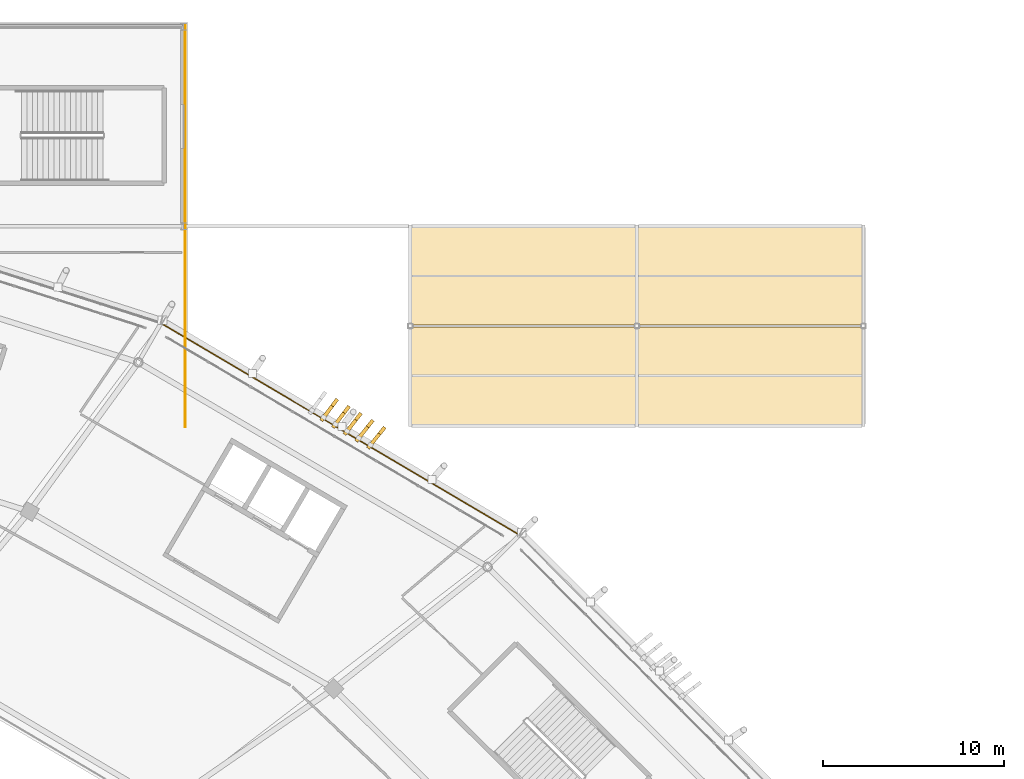
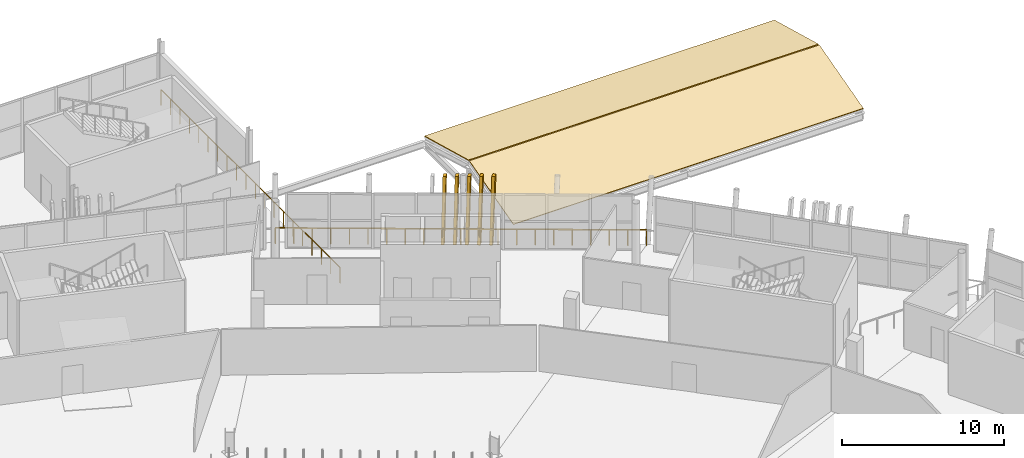
# One storey, part 179 of 179: 5 shading devices, 2 coverings, 2 railings, 1 element without a shape of its own.
"""IFC4 building model written with IfcOpenShell, lengths in metres."""

from ifc_helpers import new_model, si_unit, direction, frame, origin, origin_2d, place, context, subcontext, project, spatial, polyline, rectangle, outline, extrude, material, layer, layer_set, material_profile, profile_set, type_object, element, aggregate, save


model = new_model("IFC4")

# Units and contexts
model_context = context("Model", 3, precision=1e-05, world=origin(), true_north=direction((0.0, 1.0)))
body_context = subcontext(model_context, "Body", "Model", "MODEL_VIEW")
ifc_project = project(units=[si_unit("LENGTHUNIT", "METRE"), si_unit("AREAUNIT", "SQUARE_METRE"), si_unit("VOLUMEUNIT", "CUBIC_METRE"), si_unit("PLANEANGLEUNIT", "RADIAN"), si_unit("MASSUNIT", "GRAM", prefix="KILO")], contexts=[model_context])

# Site, building, storey
site_placement = place(None, origin())
site = spatial("IfcSite", under=ifc_project, at=site_placement, CompositionType="ELEMENT")
building_placement = place(site_placement, origin())
building = spatial("IfcBuilding", under=site, at=building_placement, Name="Zlatoyarsky Gate Stadium", CompositionType="ELEMENT")
storey_placement = place(building_placement, frame((0.0, 0.0, 10.60009765625)))
storey = spatial("IfcBuildingStorey", under=building, at=storey_placement, Name="L02", CompositionType="ELEMENT", Elevation=10.60009765625)

# Railings
ifc_material_1 = material(Name="Powder-coated steel tubular guardrail", Category="steel")
railing_type = type_object("IfcRailingType", Name="CONCOURSE SLAB EDGE GUARDRAIL 1200", PredefinedType="GUARDRAIL", material=ifc_material_1)
railing_1_placement = place(storey_placement, frame((178.52587890625, 131.969482421875, 0.0)))
element("IfcRailing", 1, at=railing_1_placement, inside=storey, type_object=railing_type, Name="L02 outer slab edge guardrail 03", PredefinedType="GUARDRAIL", context=body_context, shape_type="SweptSolid", body=[
    extrude(rectangle(XDim=0.048095703125, YDim=0.048095703125, at=origin_2d()), frame((0.0, 0.0, 1.17578125), z_axis=(-0.86105938639, 0.508504408151, 0.0), x_axis=(-0.508504408151, -0.86105938639, 0.0)), (0.0, 0.0, 1.0), 22.96923828125),
    extrude(rectangle(XDim=0.0419921875, YDim=0.0419921875, at=origin_2d()), origin(), (0.0, 0.0, 1.0), 1.15185546875),
    extrude(rectangle(XDim=0.0419921875, YDim=0.0419921875, at=origin_2d()), frame((-0.98876953125, 0.583984375, 0.0)), (0.0, 0.0, 1.0), 1.15185546875),
    extrude(rectangle(XDim=0.0419921875, YDim=0.0419921875, at=origin_2d()), frame((-1.977783203125, 1.16796875, 0.0)), (0.0, 0.0, 1.0), 1.15185546875),
    extrude(rectangle(XDim=0.0419921875, YDim=0.0419921875, at=origin_2d()), frame((-2.966796875, 1.751953125, 0.0)), (0.0, 0.0, 1.0), 1.15185546875),
    extrude(rectangle(XDim=0.0419921875, YDim=0.0419921875, at=origin_2d()), frame((-3.95556640625, 2.3359375, 0.0)), (0.0, 0.0, 1.0), 1.15185546875),
    extrude(rectangle(XDim=0.0419921875, YDim=0.0419921875, at=origin_2d()), frame((-4.9443359375, 2.919921875, 0.0)), (0.0, 0.0, 1.0), 1.15185546875),
    extrude(rectangle(XDim=0.0419921875, YDim=0.0419921875, at=origin_2d()), frame((-5.933349609375, 3.50390625, 0.0)), (0.0, 0.0, 1.0), 1.15185546875),
    extrude(rectangle(XDim=0.0419921875, YDim=0.0419921875, at=origin_2d()), frame((-6.92236328125, 4.087890625, 0.0)), (0.0, 0.0, 1.0), 1.15185546875),
    extrude(rectangle(XDim=0.0419921875, YDim=0.0419921875, at=origin_2d()), frame((-7.9111328125, 4.671875, 0.0)), (0.0, 0.0, 1.0), 1.15185546875),
    extrude(rectangle(XDim=0.0419921875, YDim=0.0419921875, at=origin_2d()), frame((-8.89990234375, 5.255859375, 0.0)), (0.0, 0.0, 1.0), 1.15185546875),
    extrude(rectangle(XDim=0.0419921875, YDim=0.0419921875, at=origin_2d()), frame((-9.888916015625, 5.83984375, 0.0)), (0.0, 0.0, 1.0), 1.15185546875),
    extrude(rectangle(XDim=0.0419921875, YDim=0.0419921875, at=origin_2d()), frame((-10.8779296875, 6.424072265625, 0.0)), (0.0, 0.0, 1.0), 1.15185546875),
    extrude(rectangle(XDim=0.0419921875, YDim=0.0419921875, at=origin_2d()), frame((-11.86669921875, 7.008056640625, 0.0)), (0.0, 0.0, 1.0), 1.15185546875),
    extrude(rectangle(XDim=0.0419921875, YDim=0.0419921875, at=origin_2d()), frame((-12.85546875, 7.592041015625, 0.0)), (0.0, 0.0, 1.0), 1.15185546875),
    extrude(rectangle(XDim=0.0419921875, YDim=0.0419921875, at=origin_2d()), frame((-13.844482421875, 8.176025390625, 0.0)), (0.0, 0.0, 1.0), 1.15185546875),
    extrude(rectangle(XDim=0.0419921875, YDim=0.0419921875, at=origin_2d()), frame((-14.83349609375, 8.760009765625, 0.0)), (0.0, 0.0, 1.0), 1.15185546875),
    extrude(rectangle(XDim=0.0419921875, YDim=0.0419921875, at=origin_2d()), frame((-15.822265625, 9.343994140625, 0.0)), (0.0, 0.0, 1.0), 1.15185546875),
    extrude(rectangle(XDim=0.0419921875, YDim=0.0419921875, at=origin_2d()), frame((-16.81103515625, 9.927978515625, 0.0)), (0.0, 0.0, 1.0), 1.15185546875),
    extrude(rectangle(XDim=0.0419921875, YDim=0.0419921875, at=origin_2d()), frame((-17.800048828125, 10.511962890625, 0.0)), (0.0, 0.0, 1.0), 1.15185546875),
    extrude(rectangle(XDim=0.0419921875, YDim=0.0419921875, at=origin_2d()), frame((-18.7890625, 11.095947265625, 0.0)), (0.0, 0.0, 1.0), 1.15185546875),
    extrude(rectangle(XDim=0.0419921875, YDim=0.0419921875, at=origin_2d()), frame((-19.77783203125, 11.679931640625, 0.0)), (0.0, 0.0, 1.0), 1.15185546875),
])
railing_2_placement = place(storey_placement, frame((160.080078125, 160.080078125, 0.0)))
element("IfcRailing", 2, at=railing_2_placement, inside=storey, type_object=railing_type, Name="V2_NORTH L02 E slab edge guardrail", PredefinedType="GUARDRAIL", context=body_context, shape_type="SweptSolid", body=[
    extrude(rectangle(XDim=0.048095703125, YDim=0.048095703125, at=origin_2d()), frame((0.0, 0.0, 1.17578125), z_axis=(0.0, -1.0, 0.0), x_axis=(1.0, 0.0, 0.0)), (0.0, 0.0, 1.0), 22.16015625),
    extrude(rectangle(XDim=0.0419921875, YDim=0.0419921875, at=origin_2d()), origin(), (0.0, 0.0, 1.0), 1.15185546875),
    extrude(rectangle(XDim=0.0419921875, YDim=0.0419921875, at=origin_2d()), frame((0.0, -1.166259765625, 0.0)), (0.0, 0.0, 1.0), 1.15185546875),
    extrude(rectangle(XDim=0.0419921875, YDim=0.0419921875, at=origin_2d()), frame((0.0, -2.332763671875, 0.0)), (0.0, 0.0, 1.0), 1.15185546875),
    extrude(rectangle(XDim=0.0419921875, YDim=0.0419921875, at=origin_2d()), frame((0.0, -3.4990234375, 0.0)), (0.0, 0.0, 1.0), 1.15185546875),
    extrude(rectangle(XDim=0.0419921875, YDim=0.0419921875, at=origin_2d()), frame((0.0, -4.665283203125, 0.0)), (0.0, 0.0, 1.0), 1.15185546875),
    extrude(rectangle(XDim=0.0419921875, YDim=0.0419921875, at=origin_2d()), frame((0.0, -5.83154296875, 0.0)), (0.0, 0.0, 1.0), 1.15185546875),
    extrude(rectangle(XDim=0.0419921875, YDim=0.0419921875, at=origin_2d()), frame((0.0, -6.998046875, 0.0)), (0.0, 0.0, 1.0), 1.15185546875),
    extrude(rectangle(XDim=0.0419921875, YDim=0.0419921875, at=origin_2d()), frame((0.0, -8.164306640625, 0.0)), (0.0, 0.0, 1.0), 1.15185546875),
    extrude(rectangle(XDim=0.0419921875, YDim=0.0419921875, at=origin_2d()), frame((0.0, -9.33056640625, 0.0)), (0.0, 0.0, 1.0), 1.15185546875),
    extrude(rectangle(XDim=0.0419921875, YDim=0.0419921875, at=origin_2d()), frame((0.0, -10.496826171875, 0.0)), (0.0, 0.0, 1.0), 1.15185546875),
    extrude(rectangle(XDim=0.0419921875, YDim=0.0419921875, at=origin_2d()), frame((0.0, -11.663330078125, 0.0)), (0.0, 0.0, 1.0), 1.15185546875),
    extrude(rectangle(XDim=0.0419921875, YDim=0.0419921875, at=origin_2d()), frame((0.0, -12.82958984375, 0.0)), (0.0, 0.0, 1.0), 1.15185546875),
    extrude(rectangle(XDim=0.0419921875, YDim=0.0419921875, at=origin_2d()), frame((0.0, -13.995849609375, 0.0)), (0.0, 0.0, 1.0), 1.15185546875),
    extrude(rectangle(XDim=0.0419921875, YDim=0.0419921875, at=origin_2d()), frame((0.0, -15.162109375, 0.0)), (0.0, 0.0, 1.0), 1.15185546875),
    extrude(rectangle(XDim=0.0419921875, YDim=0.0419921875, at=origin_2d()), frame((0.0, -16.32861328125, 0.0)), (0.0, 0.0, 1.0), 1.15185546875),
    extrude(rectangle(XDim=0.0419921875, YDim=0.0419921875, at=origin_2d()), frame((0.0, -17.494873046875, 0.0)), (0.0, 0.0, 1.0), 1.15185546875),
    extrude(rectangle(XDim=0.0419921875, YDim=0.0419921875, at=origin_2d()), frame((0.0, -18.6611328125, 0.0)), (0.0, 0.0, 1.0), 1.15185546875),
    extrude(rectangle(XDim=0.0419921875, YDim=0.0419921875, at=origin_2d()), frame((0.0, -19.827392578125, 0.0)), (0.0, 0.0, 1.0), 1.15185546875),
    extrude(rectangle(XDim=0.0419921875, YDim=0.0419921875, at=origin_2d()), frame((0.0, -20.993896484375, 0.0)), (0.0, 0.0, 1.0), 1.15185546875),
    extrude(rectangle(XDim=0.0419921875, YDim=0.0419921875, at=origin_2d()), frame((0.0, -22.16015625, 0.0)), (0.0, 0.0, 1.0), 1.15185546875),
])

# Shading devices
ifc_material_2 = material(Name="Precast concrete C40/50 stone-toned architectural rib", Category="masonry")
ifc_material_profile = material_profile(ifc_material_2, rectangle(XDim=0.199951171875, YDim=0.47998046875, at=origin_2d()), Name="RIB 200X480")
ifc_profile_set = profile_set([ifc_material_profile], Name="Precast concrete C40/50 stone-toned architectural rib")
shading_device_type = type_object("IfcShadingDeviceType", Name="PRECAST FLUTED GATE LOUVRE BLADE 200X480", PredefinedType="SHUTTER", material=ifc_profile_set)
shading_device_1_placement = place(storey_placement, frame((170.3115234375, 136.934326171875, -0.010009765625), z_axis=(0.138594127022, 0.172817523419, 0.975154229624), x_axis=(-0.780119326242, 0.625630751181, 0.0)))
element("IfcShadingDevice", 3, at=shading_device_1_placement, inside=storey, type_object=shading_device_type, Name="Leaning bowl louvre fin L02-03-1", PredefinedType="SHUTTER", context=body_context, shape_type="SweptSolid", body=[
    extrude(rectangle(XDim=0.199951171875, YDim=0.47998046875, at=origin_2d()), origin(), (0.0, 0.0, 1.0), 4.59423828125),
])
shading_device_2_placement = place(storey_placement, frame((169.666015625, 137.31591796875, -0.010009765625), z_axis=(0.137055604244, 0.173936794374, 0.975172678508), x_axis=(-0.785459854929, 0.618912607963, 0.0)))
element("IfcShadingDevice", 4, at=shading_device_2_placement, inside=storey, type_object=shading_device_type, Name="Leaning bowl louvre fin L02-03-2", PredefinedType="SHUTTER", context=body_context, shape_type="SweptSolid", body=[
    extrude(rectangle(XDim=0.199951171875, YDim=0.47998046875, at=origin_2d()), origin(), (0.0, 0.0, 1.0), 4.593994140625),
])
shading_device_3_placement = place(storey_placement, frame((169.02001953125, 137.697265625, -0.010009765625), z_axis=(0.1356183419, 0.175155977626, 0.975155397279), x_axis=(-0.790693739308, 0.612211900096, 0.0)))
element("IfcShadingDevice", 5, at=shading_device_3_placement, inside=storey, type_object=shading_device_type, Name="Leaning bowl louvre fin L02-03-3", PredefinedType="SHUTTER", context=body_context, shape_type="SweptSolid", body=[
    extrude(rectangle(XDim=0.199951171875, YDim=0.47998046875, at=origin_2d()), origin(), (0.0, 0.0, 1.0), 4.59423828125),
])
for number, where, z_axis, x_axis, name in (
    (6, (168.37451171875, 138.078857421875, -0.010009765625), (0.134026608342, 0.176275281471, 0.975173776), (-0.796037315713, 0.605247546044, 0.0), "Leaning bowl louvre fin L02-03-4"),
    (7, (167.728515625, 138.460205078125, -0.010009765625), (0.132589693304, 0.177441677732, 0.975158666184), (-0.801063945585, 0.598578779346, 0.0), "Leaning bowl louvre fin L02-03-5"),
):
    element("IfcShadingDevice", number, at=place(storey_placement, frame(where, z_axis=z_axis, x_axis=x_axis)), inside=storey, type_object=shading_device_type, Name=name, PredefinedType="SHUTTER", context=body_context, shape_type="SweptSolid", body=[
        extrude(rectangle(XDim=0.199951171875, YDim=0.47998046875, at=origin_2d()), origin(), (0.0, 0.0, 1.0), 4.593994140625),
    ])

# Roof, coverings
ifc_material_3 = material(Name="Standing-seam aluminium-zinc roofing with mineral wool insulation", Category="aluminium")
ifc_layer_1 = layer(ifc_material_3, 0.080078125)
ifc_layer_set_1 = layer_set([ifc_layer_1], Name="Standing-seam aluminium-zinc roofing with mineral wool insulation")
roof_type = type_object("IfcRoofType", Name="WINTER GARDEN PAVILION ROOF ASSEMBLY", PredefinedType="PAVILION_ROOF", material=ifc_layer_set_1)
roof_placement = place(storey_placement, origin())
roof = element("IfcRoof", 8, at=roof_placement, inside=storey, type_object=roof_type, Name="V6_NE pavilion roof", PredefinedType="PAVILION_ROOF")
ifc_layer_2 = layer(ifc_material_3, 0.06005859375)
ifc_layer_set_2 = layer_set([ifc_layer_2], Name="Standing-seam aluminium-zinc roofing with mineral wool insulation")
covering_type = type_object("IfcCoveringType", Name="STANDING SEAM ALUMINIUM ZINC ROOFING 60", PredefinedType="ROOFING", material=ifc_layer_set_2)
covering_1_placement = place(storey_placement, frame((172.5, 138.0, 0.059814453125), z_axis=(0.0, -0.263121064037, 0.964762823527), x_axis=(1.0, 0.0, 0.0)))
covering_1 = element("IfcCovering", 9, at=covering_1_placement, type_object=covering_type, Name="V6_NE standing seam roofing 1", PredefinedType="ROOFING", context=body_context, shape_type="SweptSolid", body=[
    extrude(outline(polyline([(0.0, 0.0), (25.0, 0.0), (25.0, 5.646981738949474), (0.0, 5.646981738949474), (0.0, 0.0)])), origin(), (0.0, 0.0, -1.0), 0.06005859375),
])
covering_2_placement = place(storey_placement, frame((197.5, 149.0, 0.059814453125), z_axis=(0.0, 0.263121064037, 0.964762823527), x_axis=(-1.0, 0.0, 0.0)))
covering_2 = element("IfcCovering", 10, at=covering_2_placement, type_object=covering_type, Name="V6_NE standing seam roofing 2", PredefinedType="ROOFING", context=body_context, shape_type="SweptSolid", body=[
    extrude(outline(polyline([(0.0, 0.0), (25.0, 0.0), (25.0, 5.646981738949474), (0.0, 5.646981738949474), (0.0, 0.0)])), origin(), (0.0, 0.0, -1.0), 0.06005859375),
])
aggregate(roof, [covering_1, covering_2])

save(model, "model.ifc")
